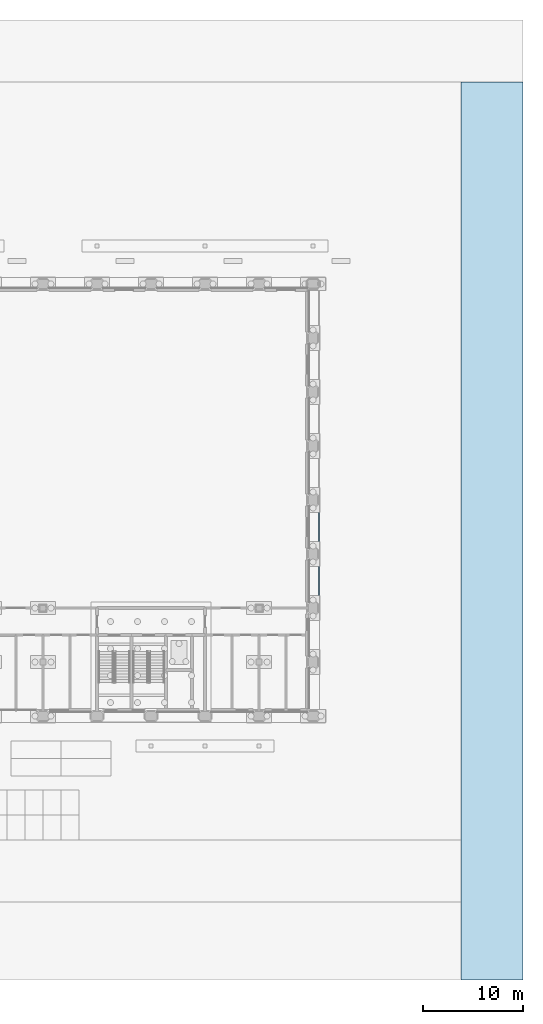
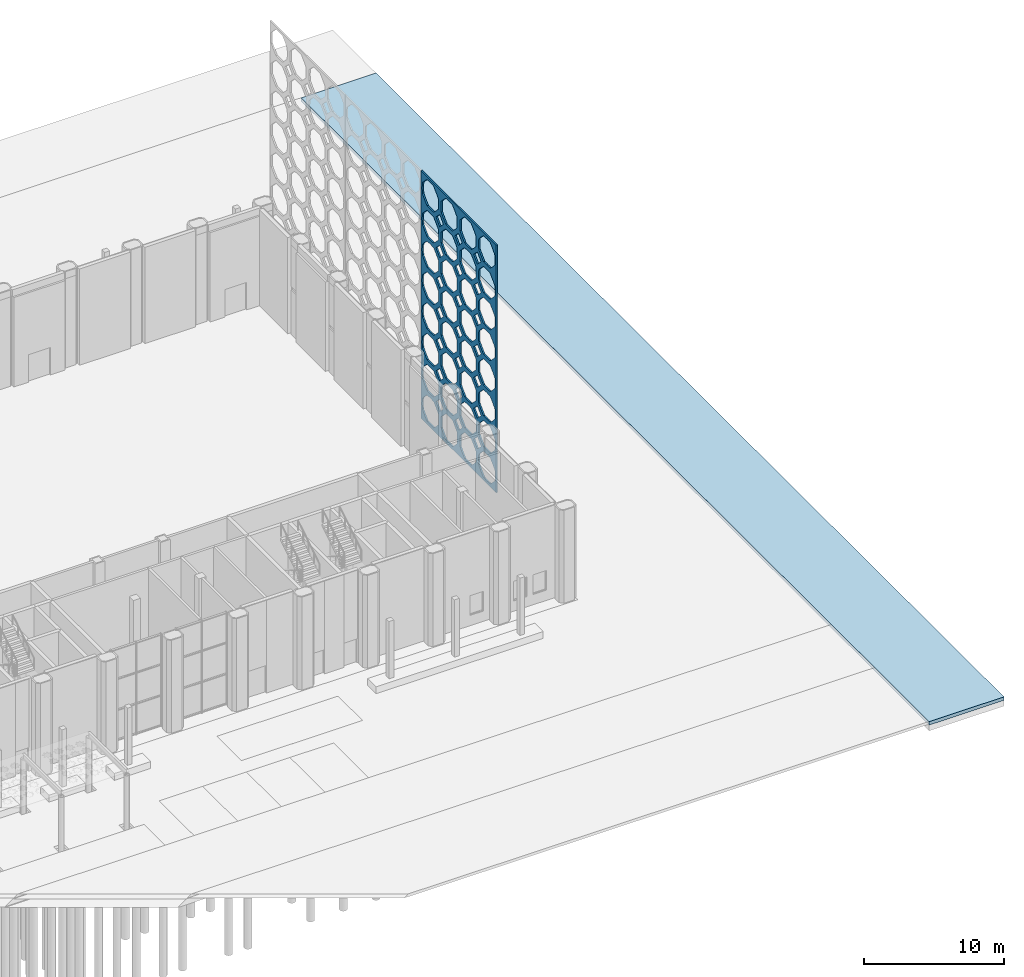
# One storey, part 27 of 54: 1 plate, 1 slab.
"""IFC4 building model written with IfcOpenShell, lengths in metres."""

from ifc_helpers import new_model, si_unit, direction, frame, origin, place, context, subcontext, project, spatial, polyline, outline, extrude, material, layer, layer_set, type_object, element, save


model = new_model("IFC4")

# Units and contexts
model_context = context("Model", 3, precision=1e-05, world=origin(), true_north=direction((0.0, 1.0)))
body_context = subcontext(model_context, "Body", "Model", "MODEL_VIEW")
ifc_project = project(units=[si_unit("LENGTHUNIT", "METRE"), si_unit("AREAUNIT", "SQUARE_METRE"), si_unit("VOLUMEUNIT", "CUBIC_METRE"), si_unit("PLANEANGLEUNIT", "RADIAN"), si_unit("MASSUNIT", "GRAM", prefix="KILO")], contexts=[model_context])

# Site, building, storey
site_placement = place(None, origin())
site = spatial("IfcSite", under=ifc_project, at=site_placement, CompositionType="ELEMENT")
building_placement = place(site_placement, origin())
building = spatial("IfcBuilding", under=site, at=building_placement, Name="Tabaq Tower and Sports Hall", CompositionType="ELEMENT")
storey_placement = place(building_placement, origin())
storey = spatial("IfcBuildingStorey", under=building, at=storey_placement, Name="L00", CompositionType="ELEMENT", Elevation=0.0)

# Slab
ifc_material_1 = material(Name="Asphalt wearing course on crushed limestone base", Category="masonry")
ifc_layer_1 = layer(ifc_material_1, 0.300048828125)
ifc_layer_set_1 = layer_set([ifc_layer_1], Name="ASPHALT ROAD 300")
slab_type = type_object("IfcSlabType", Name="ASPHALT ROAD 300", PredefinedType="USERDEFINED", material=ifc_layer_set_1)
slab_placement = place(storey_placement, frame((0.0, 0.0, -0.300048828125)))
element("IfcSlab", 1, at=slab_placement, inside=storey, type_object=slab_type, Name="East Road (fire appliance access)", ObjectType="PAVING", PredefinedType="USERDEFINED", context=body_context, shape_type="SweptSolid", body=[
    extrude(outline(polyline([(139.0, 63.39990234375), (139.0, -26.3798828125), (145.179931640625, -26.3798828125), (145.179931640625, 63.39990234375), (139.0, 63.39990234375)])), origin(), (0.0, 0.0, 1.0), 0.300048828125),
])

# Plate
ifc_material_2 = material(Name="White precast concrete C60/75", Category="concrete")
ifc_layer_2 = layer(ifc_material_2, 0.1201171875)
ifc_layer_set_2 = layer_set([ifc_layer_2], Name="HALL GIRIH SCREEN 120")
plate_type = type_object("IfcPlateType", Name="HALL GIRIH SCREEN 120", PredefinedType="USERDEFINED", material=ifc_layer_set_2)
plate_placement = place(storey_placement, frame((124.800048828125, 10.820068359375, 2.39990234375), z_axis=(0.0, 0.0, 1.0), x_axis=(0.0, 1.0, 0.0)))
element("IfcPlate", 2, at=plate_placement, inside=storey, type_object=plate_type, Name="Hall girih screen 1", ObjectType="SCREEN", PredefinedType="USERDEFINED", context=body_context, shape_type="SweptSolid", body=[
    extrude(outline(polyline([(0.0, 0.0), (10.760009765625, 0.0), (10.760009765625, 21.60009765625), (0.0, 21.60009765625), (0.0, 0.0)]), holes=[polyline([(2.487060546875, 1.866943359375), (2.162109375, 2.2109375), (1.818115234375, 2.535888671875), (1.344970703125, 2.549560546875), (0.871826171875, 2.535888671875), (0.52783203125, 2.2109375), (0.202880859375, 1.866943359375), (0.189453125, 1.393798828125), (0.202880859375, 0.920654296875), (0.52783203125, 0.57666015625), (0.871826171875, 0.251708984375), (1.344970703125, 0.23828125), (1.818115234375, 0.251708984375), (2.162109375, 0.57666015625), (2.487060546875, 0.920654296875), (2.500732421875, 1.393798828125), (2.487060546875, 1.866943359375)]), polyline([(2.487060546875, 4.554443359375), (2.162109375, 4.8984375), (1.818115234375, 5.223388671875), (1.344970703125, 5.237060546875), (0.871826171875, 5.223388671875), (0.52783203125, 4.8984375), (0.202880859375, 4.554443359375), (0.189453125, 4.081298828125), (0.202880859375, 3.608154296875), (0.52783203125, 3.26416015625), (0.871826171875, 2.939208984375), (1.344970703125, 2.92578125), (1.818115234375, 2.939208984375), (2.162109375, 3.26416015625), (2.487060546875, 3.608154296875), (2.500732421875, 4.081298828125), (2.487060546875, 4.554443359375)]), polyline([(2.487060546875, 7.241943359375), (2.162109375, 7.5859375), (1.818115234375, 7.910888671875), (1.344970703125, 7.924560546875), (0.871826171875, 7.910888671875), (0.52783203125, 7.5859375), (0.202880859375, 7.241943359375), (0.189453125, 6.768798828125), (0.202880859375, 6.295654296875), (0.52783203125, 5.95166015625), (0.871826171875, 5.626708984375), (1.344970703125, 5.61328125), (1.818115234375, 5.626708984375), (2.162109375, 5.95166015625), (2.487060546875, 6.295654296875), (2.500732421875, 6.768798828125), (2.487060546875, 7.241943359375)]), polyline([(2.487060546875, 9.929443359375), (2.162109375, 10.2734375), (1.818115234375, 10.598388671875), (1.344970703125, 10.612060546875), (0.871826171875, 10.598388671875), (0.52783203125, 10.2734375), (0.202880859375, 9.929443359375), (0.189453125, 9.456298828125), (0.202880859375, 8.983154296875), (0.52783203125, 8.63916015625), (0.871826171875, 8.314208984375), (1.344970703125, 8.30078125), (1.818115234375, 8.314208984375), (2.162109375, 8.63916015625), (2.487060546875, 8.983154296875), (2.500732421875, 9.456298828125), (2.487060546875, 9.929443359375)]), polyline([(2.487060546875, 12.616943359375), (2.162109375, 12.9609375), (1.818115234375, 13.285888671875), (1.344970703125, 13.299560546875), (0.871826171875, 13.285888671875), (0.52783203125, 12.9609375), (0.202880859375, 12.616943359375), (0.189453125, 12.143798828125), (0.202880859375, 11.670654296875), (0.52783203125, 11.32666015625), (0.871826171875, 11.001708984375), (1.344970703125, 10.98828125), (1.818115234375, 11.001708984375), (2.162109375, 11.32666015625), (2.487060546875, 11.670654296875), (2.500732421875, 12.143798828125), (2.487060546875, 12.616943359375)]), polyline([(2.487060546875, 15.304443359375), (2.162109375, 15.6484375), (1.818115234375, 15.973388671875), (1.344970703125, 15.987060546875), (0.871826171875, 15.973388671875), (0.52783203125, 15.6484375), (0.202880859375, 15.304443359375), (0.189453125, 14.831298828125), (0.202880859375, 14.358154296875), (0.52783203125, 14.01416015625), (0.871826171875, 13.689208984375), (1.344970703125, 13.67578125), (1.818115234375, 13.689208984375), (2.162109375, 14.01416015625), (2.487060546875, 14.358154296875), (2.500732421875, 14.831298828125), (2.487060546875, 15.304443359375)]), polyline([(2.487060546875, 17.991943359375), (2.162109375, 18.3359375), (1.818115234375, 18.660888671875), (1.344970703125, 18.674560546875), (0.871826171875, 18.660888671875), (0.52783203125, 18.3359375), (0.202880859375, 17.991943359375), (0.189453125, 17.518798828125), (0.202880859375, 17.045654296875), (0.52783203125, 16.70166015625), (0.871826171875, 16.376708984375), (1.344970703125, 16.36328125), (1.818115234375, 16.376708984375), (2.162109375, 16.70166015625), (2.487060546875, 17.045654296875), (2.500732421875, 17.518798828125), (2.487060546875, 17.991943359375)]), polyline([(2.487060546875, 20.679443359375), (2.162109375, 21.0234375), (1.818115234375, 21.348388671875), (1.344970703125, 21.362060546875), (0.871826171875, 21.348388671875), (0.52783203125, 21.0234375), (0.202880859375, 20.679443359375), (0.189453125, 20.206298828125), (0.202880859375, 19.733154296875), (0.52783203125, 19.38916015625), (0.871826171875, 19.064208984375), (1.344970703125, 19.05078125), (1.818115234375, 19.064208984375), (2.162109375, 19.38916015625), (2.487060546875, 19.733154296875), (2.500732421875, 20.206298828125), (2.487060546875, 20.679443359375)]), polyline([(5.17724609375, 1.866943359375), (4.85205078125, 2.2109375), (4.508056640625, 2.535888671875), (4.034912109375, 2.549560546875), (3.56201171875, 2.535888671875), (3.2177734375, 2.2109375), (2.892822265625, 1.866943359375), (2.87939453125, 1.393798828125), (2.892822265625, 0.920654296875), (3.2177734375, 0.57666015625), (3.56201171875, 0.251708984375), (4.034912109375, 0.23828125), (4.508056640625, 0.251708984375), (4.85205078125, 0.57666015625), (5.17724609375, 0.920654296875), (5.190673828125, 1.393798828125), (5.17724609375, 1.866943359375)]), polyline([(5.17724609375, 4.554443359375), (4.85205078125, 4.8984375), (4.508056640625, 5.223388671875), (4.034912109375, 5.237060546875), (3.56201171875, 5.223388671875), (3.2177734375, 4.8984375), (2.892822265625, 4.554443359375), (2.87939453125, 4.081298828125), (2.892822265625, 3.608154296875), (3.2177734375, 3.26416015625), (3.56201171875, 2.939208984375), (4.034912109375, 2.92578125), (4.508056640625, 2.939208984375), (4.85205078125, 3.26416015625), (5.17724609375, 3.608154296875), (5.190673828125, 4.081298828125), (5.17724609375, 4.554443359375)]), polyline([(5.17724609375, 7.241943359375), (4.85205078125, 7.5859375), (4.508056640625, 7.910888671875), (4.034912109375, 7.924560546875), (3.56201171875, 7.910888671875), (3.2177734375, 7.5859375), (2.892822265625, 7.241943359375), (2.87939453125, 6.768798828125), (2.892822265625, 6.295654296875), (3.2177734375, 5.95166015625), (3.56201171875, 5.626708984375), (4.034912109375, 5.61328125), (4.508056640625, 5.626708984375), (4.85205078125, 5.95166015625), (5.17724609375, 6.295654296875), (5.190673828125, 6.768798828125), (5.17724609375, 7.241943359375)]), polyline([(5.17724609375, 9.929443359375), (4.85205078125, 10.2734375), (4.508056640625, 10.598388671875), (4.034912109375, 10.612060546875), (3.56201171875, 10.598388671875), (3.2177734375, 10.2734375), (2.892822265625, 9.929443359375), (2.87939453125, 9.456298828125), (2.892822265625, 8.983154296875), (3.2177734375, 8.63916015625), (3.56201171875, 8.314208984375), (4.034912109375, 8.30078125), (4.508056640625, 8.314208984375), (4.85205078125, 8.63916015625), (5.17724609375, 8.983154296875), (5.190673828125, 9.456298828125), (5.17724609375, 9.929443359375)]), polyline([(5.17724609375, 12.616943359375), (4.85205078125, 12.9609375), (4.508056640625, 13.285888671875), (4.034912109375, 13.299560546875), (3.56201171875, 13.285888671875), (3.2177734375, 12.9609375), (2.892822265625, 12.616943359375), (2.87939453125, 12.143798828125), (2.892822265625, 11.670654296875), (3.2177734375, 11.32666015625), (3.56201171875, 11.001708984375), (4.034912109375, 10.98828125), (4.508056640625, 11.001708984375), (4.85205078125, 11.32666015625), (5.17724609375, 11.670654296875), (5.190673828125, 12.143798828125), (5.17724609375, 12.616943359375)]), polyline([(5.17724609375, 15.304443359375), (4.85205078125, 15.6484375), (4.508056640625, 15.973388671875), (4.034912109375, 15.987060546875), (3.56201171875, 15.973388671875), (3.2177734375, 15.6484375), (2.892822265625, 15.304443359375), (2.87939453125, 14.831298828125), (2.892822265625, 14.358154296875), (3.2177734375, 14.01416015625), (3.56201171875, 13.689208984375), (4.034912109375, 13.67578125), (4.508056640625, 13.689208984375), (4.85205078125, 14.01416015625), (5.17724609375, 14.358154296875), (5.190673828125, 14.831298828125), (5.17724609375, 15.304443359375)]), polyline([(5.17724609375, 17.991943359375), (4.85205078125, 18.3359375), (4.508056640625, 18.660888671875), (4.034912109375, 18.674560546875), (3.56201171875, 18.660888671875), (3.2177734375, 18.3359375), (2.892822265625, 17.991943359375), (2.87939453125, 17.518798828125), (2.892822265625, 17.045654296875), (3.2177734375, 16.70166015625), (3.56201171875, 16.376708984375), (4.034912109375, 16.36328125), (4.508056640625, 16.376708984375), (4.85205078125, 16.70166015625), (5.17724609375, 17.045654296875), (5.190673828125, 17.518798828125), (5.17724609375, 17.991943359375)]), polyline([(5.17724609375, 20.679443359375), (4.85205078125, 21.0234375), (4.508056640625, 21.348388671875), (4.034912109375, 21.362060546875), (3.56201171875, 21.348388671875), (3.2177734375, 21.0234375), (2.892822265625, 20.679443359375), (2.87939453125, 20.206298828125), (2.892822265625, 19.733154296875), (3.2177734375, 19.38916015625), (3.56201171875, 19.064208984375), (4.034912109375, 19.05078125), (4.508056640625, 19.064208984375), (4.85205078125, 19.38916015625), (5.17724609375, 19.733154296875), (5.190673828125, 20.206298828125), (5.17724609375, 20.679443359375)]), polyline([(7.8671875, 1.866943359375), (7.542236328125, 2.2109375), (7.197998046875, 2.535888671875), (6.72509765625, 2.549560546875), (6.251953125, 2.535888671875), (5.907958984375, 2.2109375), (5.582763671875, 1.866943359375), (5.5693359375, 1.393798828125), (5.582763671875, 0.920654296875), (5.907958984375, 0.57666015625), (6.251953125, 0.251708984375), (6.72509765625, 0.23828125), (7.197998046875, 0.251708984375), (7.542236328125, 0.57666015625), (7.8671875, 0.920654296875), (7.880615234375, 1.393798828125), (7.8671875, 1.866943359375)]), polyline([(7.8671875, 4.554443359375), (7.542236328125, 4.8984375), (7.197998046875, 5.223388671875), (6.72509765625, 5.237060546875), (6.251953125, 5.223388671875), (5.907958984375, 4.8984375), (5.582763671875, 4.554443359375), (5.5693359375, 4.081298828125), (5.582763671875, 3.608154296875), (5.907958984375, 3.26416015625), (6.251953125, 2.939208984375), (6.72509765625, 2.92578125), (7.197998046875, 2.939208984375), (7.542236328125, 3.26416015625), (7.8671875, 3.608154296875), (7.880615234375, 4.081298828125), (7.8671875, 4.554443359375)]), polyline([(7.8671875, 7.241943359375), (7.542236328125, 7.5859375), (7.197998046875, 7.910888671875), (6.72509765625, 7.924560546875), (6.251953125, 7.910888671875), (5.907958984375, 7.5859375), (5.582763671875, 7.241943359375), (5.5693359375, 6.768798828125), (5.582763671875, 6.295654296875), (5.907958984375, 5.95166015625), (6.251953125, 5.626708984375), (6.72509765625, 5.61328125), (7.197998046875, 5.626708984375), (7.542236328125, 5.95166015625), (7.8671875, 6.295654296875), (7.880615234375, 6.768798828125), (7.8671875, 7.241943359375)]), polyline([(7.8671875, 9.929443359375), (7.542236328125, 10.2734375), (7.197998046875, 10.598388671875), (6.72509765625, 10.612060546875), (6.251953125, 10.598388671875), (5.907958984375, 10.2734375), (5.582763671875, 9.929443359375), (5.5693359375, 9.456298828125), (5.582763671875, 8.983154296875), (5.907958984375, 8.63916015625), (6.251953125, 8.314208984375), (6.72509765625, 8.30078125), (7.197998046875, 8.314208984375), (7.542236328125, 8.63916015625), (7.8671875, 8.983154296875), (7.880615234375, 9.456298828125), (7.8671875, 9.929443359375)]), polyline([(7.8671875, 12.616943359375), (7.542236328125, 12.9609375), (7.197998046875, 13.285888671875), (6.72509765625, 13.299560546875), (6.251953125, 13.285888671875), (5.907958984375, 12.9609375), (5.582763671875, 12.616943359375), (5.5693359375, 12.143798828125), (5.582763671875, 11.670654296875), (5.907958984375, 11.32666015625), (6.251953125, 11.001708984375), (6.72509765625, 10.98828125), (7.197998046875, 11.001708984375), (7.542236328125, 11.32666015625), (7.8671875, 11.670654296875), (7.880615234375, 12.143798828125), (7.8671875, 12.616943359375)]), polyline([(7.8671875, 15.304443359375), (7.542236328125, 15.6484375), (7.197998046875, 15.973388671875), (6.72509765625, 15.987060546875), (6.251953125, 15.973388671875), (5.907958984375, 15.6484375), (5.582763671875, 15.304443359375), (5.5693359375, 14.831298828125), (5.582763671875, 14.358154296875), (5.907958984375, 14.01416015625), (6.251953125, 13.689208984375), (6.72509765625, 13.67578125), (7.197998046875, 13.689208984375), (7.542236328125, 14.01416015625), (7.8671875, 14.358154296875), (7.880615234375, 14.831298828125), (7.8671875, 15.304443359375)]), polyline([(7.8671875, 17.991943359375), (7.542236328125, 18.3359375), (7.197998046875, 18.660888671875), (6.72509765625, 18.674560546875), (6.251953125, 18.660888671875), (5.907958984375, 18.3359375), (5.582763671875, 17.991943359375), (5.5693359375, 17.518798828125), (5.582763671875, 17.045654296875), (5.907958984375, 16.70166015625), (6.251953125, 16.376708984375), (6.72509765625, 16.36328125), (7.197998046875, 16.376708984375), (7.542236328125, 16.70166015625), (7.8671875, 17.045654296875), (7.880615234375, 17.518798828125), (7.8671875, 17.991943359375)]), polyline([(7.8671875, 20.679443359375), (7.542236328125, 21.0234375), (7.197998046875, 21.348388671875), (6.72509765625, 21.362060546875), (6.251953125, 21.348388671875), (5.907958984375, 21.0234375), (5.582763671875, 20.679443359375), (5.5693359375, 20.206298828125), (5.582763671875, 19.733154296875), (5.907958984375, 19.38916015625), (6.251953125, 19.064208984375), (6.72509765625, 19.05078125), (7.197998046875, 19.064208984375), (7.542236328125, 19.38916015625), (7.8671875, 19.733154296875), (7.880615234375, 20.206298828125), (7.8671875, 20.679443359375)]), polyline([(10.55712890625, 1.866943359375), (10.232177734375, 2.2109375), (9.88818359375, 2.535888671875), (9.4150390625, 2.549560546875), (8.94189453125, 2.535888671875), (8.597900390625, 2.2109375), (8.27294921875, 1.866943359375), (8.25927734375, 1.393798828125), (8.27294921875, 0.920654296875), (8.597900390625, 0.57666015625), (8.94189453125, 0.251708984375), (9.4150390625, 0.23828125), (9.88818359375, 0.251708984375), (10.232177734375, 0.57666015625), (10.55712890625, 0.920654296875), (10.570556640625, 1.393798828125), (10.55712890625, 1.866943359375)]), polyline([(10.55712890625, 4.554443359375), (10.232177734375, 4.8984375), (9.88818359375, 5.223388671875), (9.4150390625, 5.237060546875), (8.94189453125, 5.223388671875), (8.597900390625, 4.8984375), (8.27294921875, 4.554443359375), (8.25927734375, 4.081298828125), (8.27294921875, 3.608154296875), (8.597900390625, 3.26416015625), (8.94189453125, 2.939208984375), (9.4150390625, 2.92578125), (9.88818359375, 2.939208984375), (10.232177734375, 3.26416015625), (10.55712890625, 3.608154296875), (10.570556640625, 4.081298828125), (10.55712890625, 4.554443359375)]), polyline([(10.55712890625, 7.241943359375), (10.232177734375, 7.5859375), (9.88818359375, 7.910888671875), (9.4150390625, 7.924560546875), (8.94189453125, 7.910888671875), (8.597900390625, 7.5859375), (8.27294921875, 7.241943359375), (8.25927734375, 6.768798828125), (8.27294921875, 6.295654296875), (8.597900390625, 5.95166015625), (8.94189453125, 5.626708984375), (9.4150390625, 5.61328125), (9.88818359375, 5.626708984375), (10.232177734375, 5.95166015625), (10.55712890625, 6.295654296875), (10.570556640625, 6.768798828125), (10.55712890625, 7.241943359375)]), polyline([(10.55712890625, 9.929443359375), (10.232177734375, 10.2734375), (9.88818359375, 10.598388671875), (9.4150390625, 10.612060546875), (8.94189453125, 10.598388671875), (8.597900390625, 10.2734375), (8.27294921875, 9.929443359375), (8.25927734375, 9.456298828125), (8.27294921875, 8.983154296875), (8.597900390625, 8.63916015625), (8.94189453125, 8.314208984375), (9.4150390625, 8.30078125), (9.88818359375, 8.314208984375), (10.232177734375, 8.63916015625), (10.55712890625, 8.983154296875), (10.570556640625, 9.456298828125), (10.55712890625, 9.929443359375)]), polyline([(10.55712890625, 12.616943359375), (10.232177734375, 12.9609375), (9.88818359375, 13.285888671875), (9.4150390625, 13.299560546875), (8.94189453125, 13.285888671875), (8.597900390625, 12.9609375), (8.27294921875, 12.616943359375), (8.25927734375, 12.143798828125), (8.27294921875, 11.670654296875), (8.597900390625, 11.32666015625), (8.94189453125, 11.001708984375), (9.4150390625, 10.98828125), (9.88818359375, 11.001708984375), (10.232177734375, 11.32666015625), (10.55712890625, 11.670654296875), (10.570556640625, 12.143798828125), (10.55712890625, 12.616943359375)]), polyline([(10.55712890625, 15.304443359375), (10.232177734375, 15.6484375), (9.88818359375, 15.973388671875), (9.4150390625, 15.987060546875), (8.94189453125, 15.973388671875), (8.597900390625, 15.6484375), (8.27294921875, 15.304443359375), (8.25927734375, 14.831298828125), (8.27294921875, 14.358154296875), (8.597900390625, 14.01416015625), (8.94189453125, 13.689208984375), (9.4150390625, 13.67578125), (9.88818359375, 13.689208984375), (10.232177734375, 14.01416015625), (10.55712890625, 14.358154296875), (10.570556640625, 14.831298828125), (10.55712890625, 15.304443359375)]), polyline([(10.55712890625, 17.991943359375), (10.232177734375, 18.3359375), (9.88818359375, 18.660888671875), (9.4150390625, 18.674560546875), (8.94189453125, 18.660888671875), (8.597900390625, 18.3359375), (8.27294921875, 17.991943359375), (8.25927734375, 17.518798828125), (8.27294921875, 17.045654296875), (8.597900390625, 16.70166015625), (8.94189453125, 16.376708984375), (9.4150390625, 16.36328125), (9.88818359375, 16.376708984375), (10.232177734375, 16.70166015625), (10.55712890625, 17.045654296875), (10.570556640625, 17.518798828125), (10.55712890625, 17.991943359375)]), polyline([(10.55712890625, 20.679443359375), (10.232177734375, 21.0234375), (9.88818359375, 21.348388671875), (9.4150390625, 21.362060546875), (8.94189453125, 21.348388671875), (8.597900390625, 21.0234375), (8.27294921875, 20.679443359375), (8.25927734375, 20.206298828125), (8.27294921875, 19.733154296875), (8.597900390625, 19.38916015625), (8.94189453125, 19.064208984375), (9.4150390625, 19.05078125), (9.88818359375, 19.064208984375), (10.232177734375, 19.38916015625), (10.55712890625, 19.733154296875), (10.570556640625, 20.206298828125), (10.55712890625, 20.679443359375)]), polyline([(3.2275390625, 2.737548828125), (2.68994140625, 3.275146484375), (2.152587890625, 2.737548828125), (2.68994140625, 2.2001953125), (3.2275390625, 2.737548828125)]), polyline([(3.2275390625, 5.425048828125), (2.68994140625, 5.962646484375), (2.152587890625, 5.425048828125), (2.68994140625, 4.8876953125), (3.2275390625, 5.425048828125)]), polyline([(3.2275390625, 8.112548828125), (2.68994140625, 8.650146484375), (2.152587890625, 8.112548828125), (2.68994140625, 7.5751953125), (3.2275390625, 8.112548828125)]), polyline([(3.2275390625, 10.800048828125), (2.68994140625, 11.337646484375), (2.152587890625, 10.800048828125), (2.68994140625, 10.2626953125), (3.2275390625, 10.800048828125)]), polyline([(3.2275390625, 13.487548828125), (2.68994140625, 14.025146484375), (2.152587890625, 13.487548828125), (2.68994140625, 12.9501953125), (3.2275390625, 13.487548828125)]), polyline([(3.2275390625, 16.175048828125), (2.68994140625, 16.712646484375), (2.152587890625, 16.175048828125), (2.68994140625, 15.6376953125), (3.2275390625, 16.175048828125)]), polyline([(3.2275390625, 18.862548828125), (2.68994140625, 19.400146484375), (2.152587890625, 18.862548828125), (2.68994140625, 18.3251953125), (3.2275390625, 18.862548828125)]), polyline([(5.91748046875, 2.737548828125), (5.3798828125, 3.275146484375), (4.842529296875, 2.737548828125), (5.3798828125, 2.2001953125), (5.91748046875, 2.737548828125)]), polyline([(5.91748046875, 5.425048828125), (5.3798828125, 5.962646484375), (4.842529296875, 5.425048828125), (5.3798828125, 4.8876953125), (5.91748046875, 5.425048828125)]), polyline([(5.91748046875, 8.112548828125), (5.3798828125, 8.650146484375), (4.842529296875, 8.112548828125), (5.3798828125, 7.5751953125), (5.91748046875, 8.112548828125)]), polyline([(5.91748046875, 10.800048828125), (5.3798828125, 11.337646484375), (4.842529296875, 10.800048828125), (5.3798828125, 10.2626953125), (5.91748046875, 10.800048828125)]), polyline([(5.91748046875, 13.487548828125), (5.3798828125, 14.025146484375), (4.842529296875, 13.487548828125), (5.3798828125, 12.9501953125), (5.91748046875, 13.487548828125)]), polyline([(5.91748046875, 16.175048828125), (5.3798828125, 16.712646484375), (4.842529296875, 16.175048828125), (5.3798828125, 15.6376953125), (5.91748046875, 16.175048828125)]), polyline([(5.91748046875, 18.862548828125), (5.3798828125, 19.400146484375), (4.842529296875, 18.862548828125), (5.3798828125, 18.3251953125), (5.91748046875, 18.862548828125)]), polyline([(8.607421875, 2.737548828125), (8.070068359375, 3.275146484375), (7.532470703125, 2.737548828125), (8.070068359375, 2.2001953125), (8.607421875, 2.737548828125)]), polyline([(8.607421875, 5.425048828125), (8.070068359375, 5.962646484375), (7.532470703125, 5.425048828125), (8.070068359375, 4.8876953125), (8.607421875, 5.425048828125)]), polyline([(8.607421875, 8.112548828125), (8.070068359375, 8.650146484375), (7.532470703125, 8.112548828125), (8.070068359375, 7.5751953125), (8.607421875, 8.112548828125)]), polyline([(8.607421875, 10.800048828125), (8.070068359375, 11.337646484375), (7.532470703125, 10.800048828125), (8.070068359375, 10.2626953125), (8.607421875, 10.800048828125)]), polyline([(8.607421875, 13.487548828125), (8.070068359375, 14.025146484375), (7.532470703125, 13.487548828125), (8.070068359375, 12.9501953125), (8.607421875, 13.487548828125)]), polyline([(8.607421875, 16.175048828125), (8.070068359375, 16.712646484375), (7.532470703125, 16.175048828125), (8.070068359375, 15.6376953125), (8.607421875, 16.175048828125)]), polyline([(8.607421875, 18.862548828125), (8.070068359375, 19.400146484375), (7.532470703125, 18.862548828125), (8.070068359375, 18.3251953125), (8.607421875, 18.862548828125)])]), frame((0.0, 0.06005859375, 0.0), z_axis=(0.0, -1.0, 0.0), x_axis=(1.0, 0.0, 0.0)), (0.0, 0.0, 1.0), 0.1201171875),
])

save(model, "model.ifc")
